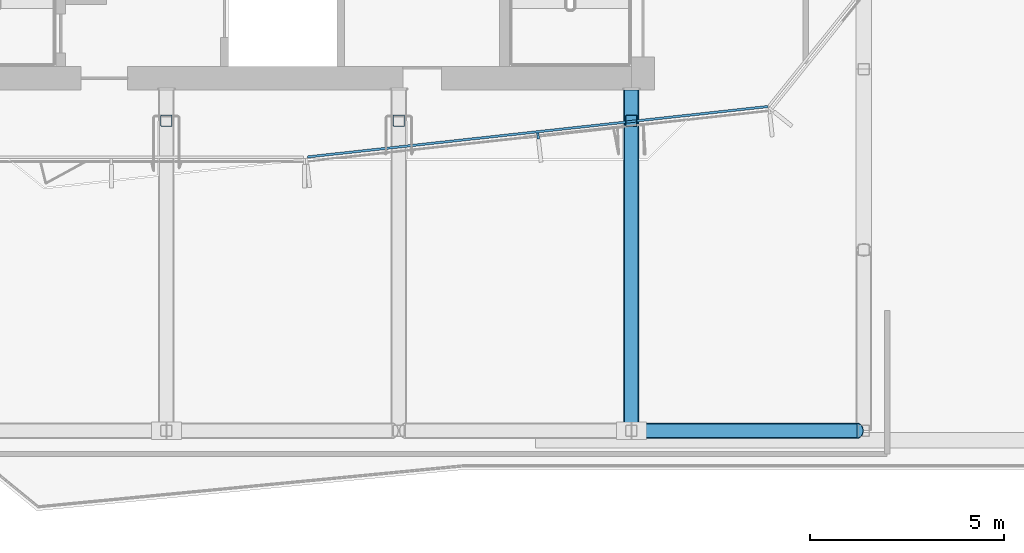
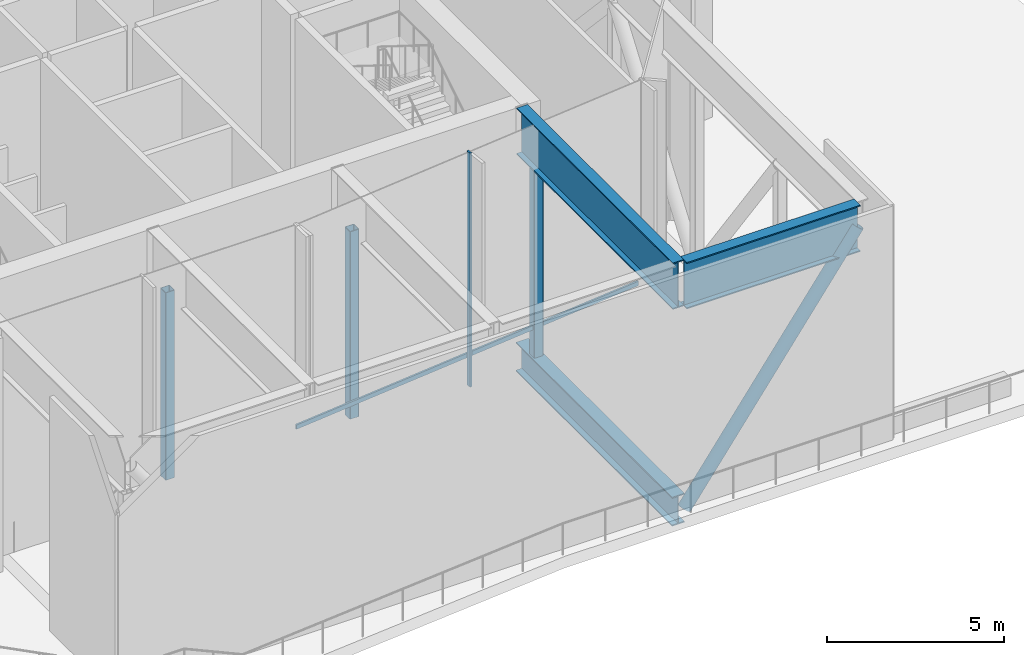
# One storey, part 2 of 22: 8 members, 1 beam, 1 element without a shape of its own.
"""IFC4 building model written with IfcOpenShell, lengths in metres."""

from ifc_helpers import new_model, si_unit, direction, frame, origin, origin_2d, place, context, subcontext, project, spatial, rectangle, hollow_rectangle, hollow_circle, i_section, extrude, material, layer, layer_set, material_profile, profile_set, type_object, element, aggregate, save


model = new_model("IFC4")

# Units and contexts
model_context = context("Model", 3, precision=1e-05, world=origin(), true_north=direction((0.0, 1.0)))
body_context = subcontext(model_context, "Body", "Model", "MODEL_VIEW")
ifc_project = project(units=[si_unit("LENGTHUNIT", "METRE"), si_unit("AREAUNIT", "SQUARE_METRE"), si_unit("VOLUMEUNIT", "CUBIC_METRE"), si_unit("PLANEANGLEUNIT", "RADIAN"), si_unit("MASSUNIT", "GRAM", prefix="KILO")], contexts=[model_context])

# Site, building, storey
site_placement = place(None, origin())
site = spatial("IfcSite", under=ifc_project, at=site_placement, CompositionType="ELEMENT")
building_placement = place(site_placement, origin())
building = spatial("IfcBuilding", under=site, at=building_placement, Name="Welwitschia Terrace Campus", CompositionType="ELEMENT")
storey_placement = place(building_placement, frame((0.0, 0.0, 197.0)))
storey = spatial("IfcBuildingStorey", under=building, at=storey_placement, Name="L44", CompositionType="ELEMENT", Elevation=197.0)

# Curtain wall, member
ifc_material_1 = material(Name="Bronze anodised aluminium", Category="aluminium")
ifc_layer = layer(ifc_material_1, 0.159912109375)
ifc_layer_set = layer_set([ifc_layer], Name="Bronze anodised aluminium")
curtain_wall_type = type_object("IfcCurtainWallType", Name="Curtain wall CW3 commons 6000", PredefinedType="NOTDEFINED", material=ifc_layer_set)
curtain_wall_placement = place(storey_placement, origin())
curtain_wall = element("IfcCurtainWall", 1, at=curtain_wall_placement, inside=storey, type_object=curtain_wall_type, Name="CW L44.12.0", PredefinedType="NOTDEFINED")
ifc_material_2 = material(Name="Bronze anodised aluminium", Category="aluminium")
ifc_material_profile_1 = material_profile(ifc_material_2, rectangle(XDim=0.159912109375, YDim=0.06005859375, at=origin_2d()))
ifc_profile_set_1 = profile_set([ifc_material_profile_1], Name="Bronze anodised aluminium")
member_type_1 = type_object("IfcMemberType", Name="Mullion 60x160", PredefinedType="MULLION", material=ifc_profile_set_1)
member_1_placement = place(storey_placement, frame((21.593017578125, 3.607177734375, 0.0), z_axis=(0.0, 0.0, 1.0), x_axis=(-0.108866874852, 0.994056338222, 0.0)))
member_1 = element("IfcMember", 2, at=member_1_placement, type_object=member_type_1, Name="Mullion L44.12.0.1", PredefinedType="MULLION", context=body_context, shape_type="SweptSolid", body=[
    extrude(rectangle(XDim=0.159912109375, YDim=0.06005859375, at=origin_2d()), origin(), (0.0, 0.0, 1.0), 8.050048828125),
])

# Member
ifc_material_3 = material(Name="Steel S355", Category="steel")
ifc_material_profile_2 = material_profile(ifc_material_3, hollow_circle(Radius=0.203125, WallThickness=0.01611328125, at=origin_2d()))
ifc_profile_set_2 = profile_set([ifc_material_profile_2], Name="Steel S355")
member_type_2 = type_object("IfcMemberType", Name="Tip edge diagonal C3 CHS 406.4x16", PredefinedType="BRACE", material=ifc_profile_set_2)
member_2_placement = place(storey_placement, frame((24.199951171875, -4.0, -0.5), z_axis=(0.5873952889, 0.0, 0.809300175818), x_axis=(0.0, 1.0, 0.0)))
element("IfcMember", 3, at=member_2_placement, inside=storey, type_object=member_type_2, Name="Truss diagonal", PredefinedType="BRACE", context=body_context, shape_type="SweptSolid", body=[
    extrude(hollow_circle(Radius=0.203125, WallThickness=0.01611328125, at=origin_2d()), origin(), (0.0, 0.0, 1.0), 9.576171875),
])

# Beam
ifc_material_4 = material(Name="Steel S355", Category="steel")
ifc_material_profile_3 = material_profile(ifc_material_4, i_section(OverallWidth=0.35009765625, OverallDepth=1.60009765625, WebThickness=0.02490234375, FlangeThickness=0.0400390625, at=origin_2d()))
ifc_profile_set_3 = profile_set([ifc_material_profile_3], Name="Steel S355")
beam_type = type_object("IfcBeamType", Name="Tip edge girder C3 top WI 1600x350x25x40", PredefinedType="BEAM", material=ifc_profile_set_3)
beam_placement = place(storey_placement, frame((24.175048828125, -4.0, 7.25), z_axis=(1.0, 0.0, 0.0), x_axis=(0.0, 1.0, 0.0)))
element("IfcBeam", 4, at=beam_placement, inside=storey, type_object=beam_type, Name="Tip edge girder", PredefinedType="BEAM", context=body_context, shape_type="SweptSolid", body=[
    extrude(i_section(OverallWidth=0.35009765625, OverallDepth=1.60009765625, WebThickness=0.02490234375, FlangeThickness=0.0400390625, at=origin_2d()), origin(), (0.0, 0.0, 1.0), 5.64990234375),
])

# Members
ifc_material_5 = material(Name="Steel S355", Category="steel")
ifc_material_profile_4 = material_profile(ifc_material_5, i_section(OverallWidth=0.39990234375, OverallDepth=1.0, WebThickness=0.02490234375, FlangeThickness=0.0400390625, at=origin_2d()))
ifc_profile_set_4 = profile_set([ifc_material_profile_4], Name="Steel S355")
member_type_3 = type_object("IfcMemberType", Name="Transfer truss C3 bottom chord WI 1000x400x25x40", PredefinedType="CHORD", material=ifc_profile_set_4)
member_3_placement = place(storey_placement, frame((24.0, -4.0, -0.5), z_axis=(0.0, 1.0, 0.0), x_axis=(-1.0, 0.0, 0.0)))
element("IfcMember", 5, at=member_3_placement, inside=storey, type_object=member_type_3, Name="Truss bottom chord", PredefinedType="CHORD", context=body_context, shape_type="SweptSolid", body=[
    extrude(i_section(OverallWidth=0.39990234375, OverallDepth=1.0, WebThickness=0.02490234375, FlangeThickness=0.0400390625, at=origin_2d()), origin(), (0.0, 0.0, 1.0), 8.800048828125),
])
ifc_material_6 = material(Name="Steel S355", Category="steel")
ifc_material_profile_5 = material_profile(ifc_material_6, hollow_rectangle(XDim=0.300048828125, YDim=0.300048828125, WallThickness=0.01611328125, InnerFilletRadius=0.01611328125, OuterFilletRadius=0.02392578125, at=origin_2d()))
ifc_profile_set_5 = profile_set([ifc_material_profile_5], Name="Steel S355")
member_type_4 = type_object("IfcMemberType", Name="Transfer truss C3 post SHS 300x300x16", PredefinedType="POST", material=ifc_profile_set_5)
for number, where, z_axis, x_axis, name in (
    (6, (12.0, 4.0, 0.0), (0.0, 0.0, 1.0), (1.0, 0.0, 0.0), "Truss post"),
    (7, (18.0, 4.0, 0.0), (0.0, 0.0, 1.0), (1.0, 0.0, 0.0), "Truss post"),
    (8, (24.0, 4.0, 0.0), (0.0, 0.0, 1.0), (1.0, 0.0, 0.0), "Truss post"),
):
    element("IfcMember", number, at=place(storey_placement, frame(where, z_axis=z_axis, x_axis=x_axis)), inside=storey, type_object=member_type_4, Name=name, PredefinedType="POST", context=body_context, shape_type="SweptSolid", body=[
        extrude(hollow_rectangle(XDim=0.300048828125, YDim=0.300048828125, WallThickness=0.01611328125, InnerFilletRadius=0.01611328125, OuterFilletRadius=0.02392578125, at=origin_2d()), origin(), (0.0, 0.0, 1.0), 6.449951171875),
    ])
ifc_material_7 = material(Name="Steel S355", Category="steel")
ifc_material_profile_6 = material_profile(ifc_material_7, i_section(OverallWidth=0.35009765625, OverallDepth=1.60009765625, WebThickness=0.02490234375, FlangeThickness=0.0400390625, at=origin_2d()))
ifc_profile_set_6 = profile_set([ifc_material_profile_6], Name="Steel S355")
member_type_5 = type_object("IfcMemberType", Name="Transfer truss C3 top chord WI 1600x350x25x40", PredefinedType="CHORD", material=ifc_profile_set_6)
member_4_placement = place(storey_placement, frame((24.0, -4.0, 7.25), z_axis=(0.0, 1.0, 0.0), x_axis=(-1.0, 0.0, 0.0)))
element("IfcMember", 9, at=member_4_placement, inside=storey, type_object=member_type_5, Name="Truss top chord", PredefinedType="CHORD", context=body_context, shape_type="SweptSolid", body=[
    extrude(i_section(OverallWidth=0.35009765625, OverallDepth=1.60009765625, WebThickness=0.02490234375, FlangeThickness=0.0400390625, at=origin_2d()), origin(), (0.0, 0.0, 1.0), 8.800048828125),
])

# Member
ifc_material_8 = material(Name="Bronze anodised aluminium", Category="aluminium")
ifc_material_profile_7 = material_profile(ifc_material_8, rectangle(XDim=0.06005859375, YDim=0.14990234375, at=origin_2d()))
ifc_profile_set_7 = profile_set([ifc_material_profile_7], Name="Bronze anodised aluminium")
member_type_6 = type_object("IfcMemberType", Name="Transom 60x150", PredefinedType="USERDEFINED", material=ifc_profile_set_7)
member_5_placement = place(storey_placement, frame((15.64013671875, 3.06591796875, 1.0), z_axis=(0.994056366646, 0.108866615316, 0.0), x_axis=(-0.108866615316, 0.994056366646, 0.0)))
member_5 = element("IfcMember", 10, at=member_5_placement, type_object=member_type_6, Name="Transom L44.12.0", ObjectType="TRANSOM", PredefinedType="USERDEFINED", context=body_context, shape_type="SweptSolid", body=[
    extrude(rectangle(XDim=0.06005859375, YDim=0.14990234375, at=origin_2d()), origin(), (0.0, 0.0, 1.0), 11.952880859375),
])

aggregate(curtain_wall, [member_1, member_5])

save(model, "model.ifc")
